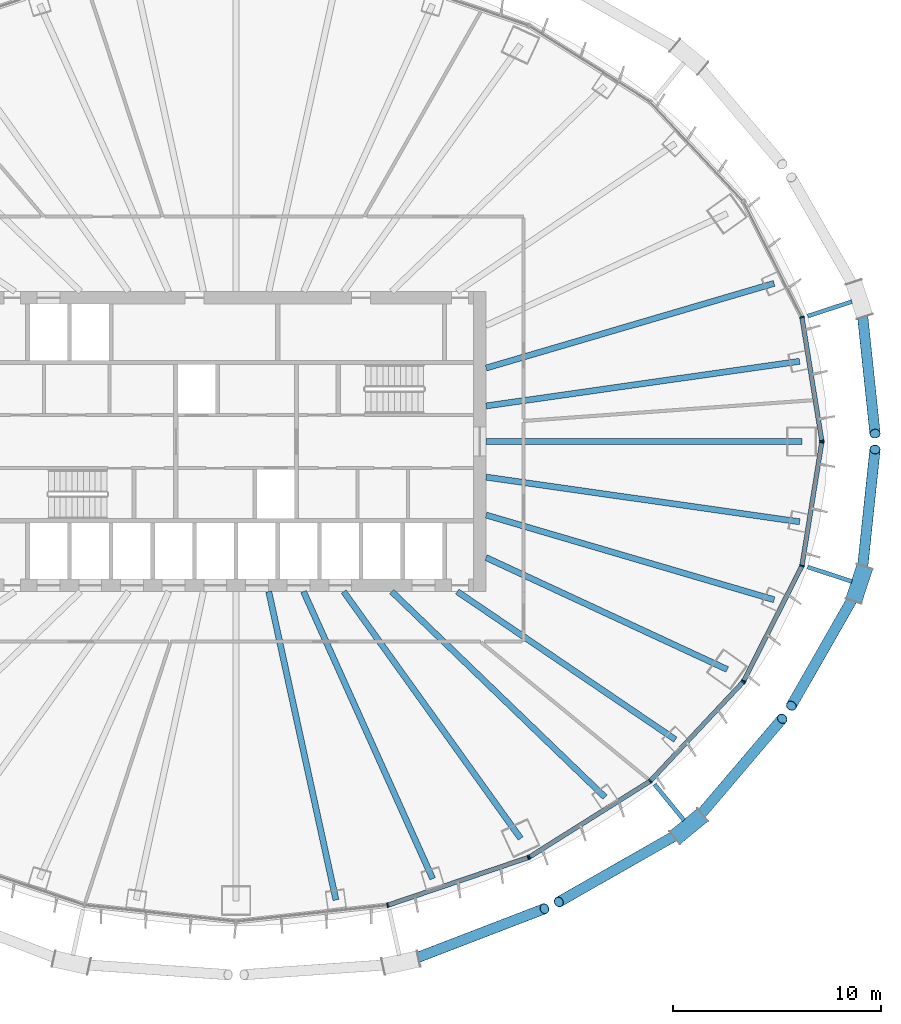
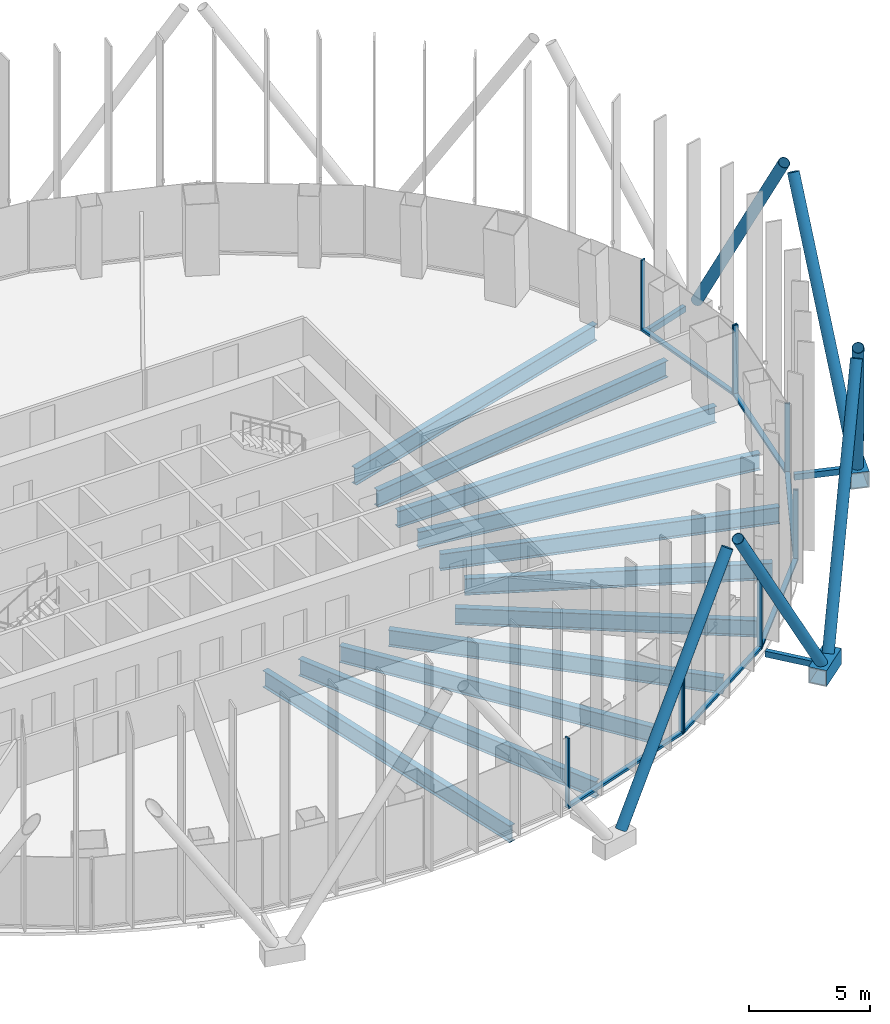
# One storey, part 4 of 22: 27 members, 11 beams, 4 elements without a shape of their own.
"""IFC4 building model written with IfcOpenShell, lengths in metres."""

from ifc_helpers import new_model, si_unit, direction, frame, origin, origin_2d, place, context, subcontext, project, spatial, rectangle, hollow_rectangle, hollow_circle, i_section, extrude, material, layer, layer_set, material_profile, profile_set, type_object, element, aggregate, save


model = new_model("IFC4")

# Units and contexts
model_context = context("Model", 3, precision=1e-05, world=origin(), true_north=direction((0.0, 1.0)))
body_context = subcontext(model_context, "Body", "Model", "MODEL_VIEW")
ifc_project = project(units=[si_unit("LENGTHUNIT", "METRE"), si_unit("AREAUNIT", "SQUARE_METRE"), si_unit("VOLUMEUNIT", "CUBIC_METRE"), si_unit("PLANEANGLEUNIT", "RADIAN"), si_unit("MASSUNIT", "GRAM", prefix="KILO")], contexts=[model_context])

# Site, building, storey
site_placement = place(None, origin())
site = spatial("IfcSite", under=ifc_project, at=site_placement, CompositionType="ELEMENT")
building_placement = place(site_placement, origin())
building = spatial("IfcBuilding", under=site, at=building_placement, Name="Siaravel Broadcast Tower", CompositionType="ELEMENT")
storey_placement = place(building_placement, frame((0.0, 0.0, 37.10009765625)))
storey = spatial("IfcBuildingStorey", under=building, at=storey_placement, Name="L07", CompositionType="ELEMENT", Elevation=37.10009765625)

# Beams
ifc_material_1 = material(Name="Steel S355", Category="steel")
ifc_material_profile_1 = material_profile(ifc_material_1, i_section(OverallWidth=0.291748046875, OverallDepth=0.8349609375, WebThickness=0.013916015625, FlangeThickness=0.018798828125, FilletRadius=0.017822265625, at=origin_2d()))
ifc_profile_set_1 = profile_set([ifc_material_profile_1], Name="Steel S355")
beam_type = type_object("IfcBeamType", Name="BM-UB 838x292x176", PredefinedType="BEAM", material=ifc_profile_set_1)
beam_1_placement = place(storey_placement, frame((27.158203125, 0.0, -0.5673828125), z_axis=(-1.0, 0.0, 0.0), x_axis=(0.0, -1.0, 0.0)))
element("IfcBeam", 1, at=beam_1_placement, inside=storey, type_object=beam_type, Name="Radial beam RB01", PredefinedType="BEAM", context=body_context, shape_type="SweptSolid", body=[
    extrude(i_section(OverallWidth=0.291748046875, OverallDepth=0.8349609375, WebThickness=0.013916015625, FlangeThickness=0.018798828125, FilletRadius=0.017822265625, at=origin_2d()), origin(), (0.0, 0.0, 1.0), 15.158203125),
])
beam_2_placement = place(storey_placement, frame((27.046875, 3.85107421875, -0.5673828125), z_axis=(-0.990013645, -0.140971569, 0.0), x_axis=(0.140971569, -0.990013645, 0.0)))
element("IfcBeam", 2, at=beam_2_placement, inside=storey, type_object=beam_type, Name="Radial beam RB02", PredefinedType="BEAM", context=body_context, shape_type="SweptSolid", body=[
    extrude(i_section(OverallWidth=0.291748046875, OverallDepth=0.8349609375, WebThickness=0.013916015625, FlangeThickness=0.018798828125, FilletRadius=0.017822265625, at=origin_2d()), origin(), (0.0, 0.0, 1.0), 15.19873046875),
])
beam_3_placement = place(storey_placement, frame((25.822998046875, 7.591796875, -0.5673828125), z_axis=(-0.959395986, -0.282062657, 0.0), x_axis=(0.282062657, -0.959395986, 0.0)))
element("IfcBeam", 3, at=beam_3_placement, inside=storey, type_object=beam_type, Name="Radial beam RB03", PredefinedType="BEAM", context=body_context, shape_type="SweptSolid", body=[
    extrude(i_section(OverallWidth=0.291748046875, OverallDepth=0.8349609375, WebThickness=0.013916015625, FlangeThickness=0.018798828125, FilletRadius=0.017822265625, at=origin_2d()), origin(), (0.0, 0.0, 1.0), 14.407958984375),
])
beam_4_placement = place(storey_placement, frame((4.79248046875, -22.003173828125, -0.5673828125), z_axis=(-0.212809631, 0.977093681, 0.0), x_axis=(-0.977093681, -0.212809631, 0.0)))
element("IfcBeam", 4, at=beam_4_placement, inside=storey, type_object=beam_type, Name="Radial beam RB29", PredefinedType="BEAM", context=body_context, shape_type="SweptSolid", body=[
    extrude(i_section(OverallWidth=0.291748046875, OverallDepth=0.8349609375, WebThickness=0.013916015625, FlangeThickness=0.018798828125, FilletRadius=0.017822265625, at=origin_2d()), origin(), (0.0, 0.0, 1.0), 15.150146484375),
])
beam_5_placement = place(storey_placement, frame((9.436279296875, -20.984130859375, -0.5673828125), z_axis=(-0.410122863, 0.912030283, 0.0), x_axis=(-0.912030283, -0.410122863, 0.0)))
element("IfcBeam", 5, at=beam_5_placement, inside=storey, type_object=beam_type, Name="Radial beam RB30", PredefinedType="BEAM", context=body_context, shape_type="SweptSolid", body=[
    extrude(i_section(OverallWidth=0.291748046875, OverallDepth=0.8349609375, WebThickness=0.013916015625, FlangeThickness=0.018798828125, FilletRadius=0.017822265625, at=origin_2d()), origin(), (0.0, 0.0, 1.0), 15.11376953125),
])
beam_6_placement = place(storey_placement, frame((13.65869140625, -19.05126953125, -0.5673828125), z_axis=(-0.582661067, 0.812715252, 0.0), x_axis=(-0.812715252, -0.582661067, 0.0)))
element("IfcBeam", 6, at=beam_6_placement, inside=storey, type_object=beam_type, Name="Radial beam RB31", PredefinedType="BEAM", context=body_context, shape_type="SweptSolid", body=[
    extrude(i_section(OverallWidth=0.291748046875, OverallDepth=0.8349609375, WebThickness=0.013916015625, FlangeThickness=0.018798828125, FilletRadius=0.017822265625, at=origin_2d()), origin(), (0.0, 0.0, 1.0), 14.582275390625),
])
beam_7_placement = place(storey_placement, frame((17.7109375, -17.072021484375, -0.5673828125), z_axis=(-0.71997139, 0.694003745, 0.0), x_axis=(-0.694003745, -0.71997139, 0.0)))
element("IfcBeam", 7, at=beam_7_placement, inside=storey, type_object=beam_type, Name="Radial beam RB32", PredefinedType="BEAM", context=body_context, shape_type="SweptSolid", body=[
    extrude(i_section(OverallWidth=0.291748046875, OverallDepth=0.8349609375, WebThickness=0.013916015625, FlangeThickness=0.018798828125, FilletRadius=0.017822265625, at=origin_2d()), origin(), (0.0, 0.0, 1.0), 14.224853515625),
])
beam_8_placement = place(storey_placement, frame((21.088134765625, -14.305908203125, -0.5673828125), z_axis=(-0.827542342, 0.561403306, 0.0), x_axis=(-0.561403306, -0.827542342, 0.0)))
element("IfcBeam", 8, at=beam_8_placement, inside=storey, type_object=beam_type, Name="Radial beam RB33", PredefinedType="BEAM", context=body_context, shape_type="SweptSolid", body=[
    extrude(i_section(OverallWidth=0.291748046875, OverallDepth=0.8349609375, WebThickness=0.013916015625, FlangeThickness=0.018798828125, FilletRadius=0.017822265625, at=origin_2d()), origin(), (0.0, 0.0, 1.0), 12.657470703125),
])
beam_9_placement = place(storey_placement, frame((23.5732421875, -10.939697265625, -0.5673828125), z_axis=(-0.907082041, 0.420953882, 0.0), x_axis=(-0.420953882, -0.907082041, 0.0)))
element("IfcBeam", 9, at=beam_9_placement, inside=storey, type_object=beam_type, Name="Radial beam RB34", PredefinedType="BEAM", context=body_context, shape_type="SweptSolid", body=[
    extrude(i_section(OverallWidth=0.291748046875, OverallDepth=0.8349609375, WebThickness=0.013916015625, FlangeThickness=0.018798828125, FilletRadius=0.017822265625, at=origin_2d()), origin(), (0.0, 0.0, 1.0), 12.7587890625),
])
beam_10_placement = place(storey_placement, frame((25.822998046875, -7.591796875, -0.5673828125), z_axis=(-0.959395986, 0.282062657, 0.0), x_axis=(-0.282062657, -0.959395986, 0.0)))
element("IfcBeam", 10, at=beam_10_placement, inside=storey, type_object=beam_type, Name="Radial beam RB35", PredefinedType="BEAM", context=body_context, shape_type="SweptSolid", body=[
    extrude(i_section(OverallWidth=0.291748046875, OverallDepth=0.8349609375, WebThickness=0.013916015625, FlangeThickness=0.018798828125, FilletRadius=0.017822265625, at=origin_2d()), origin(), (0.0, 0.0, 1.0), 14.407958984375),
])
beam_11_placement = place(storey_placement, frame((27.046875, -3.85107421875, -0.5673828125), z_axis=(-0.990013645, 0.140971569, 0.0), x_axis=(-0.140971569, -0.990013645, 0.0)))
element("IfcBeam", 11, at=beam_11_placement, inside=storey, type_object=beam_type, Name="Radial beam RB36", PredefinedType="BEAM", context=body_context, shape_type="SweptSolid", body=[
    extrude(i_section(OverallWidth=0.291748046875, OverallDepth=0.8349609375, WebThickness=0.013916015625, FlangeThickness=0.018798828125, FilletRadius=0.017822265625, at=origin_2d()), origin(), (0.0, 0.0, 1.0), 15.19873046875),
])

# Curtain wall, members
ifc_material_2 = material(Name="Aluminium 6063-T6", Category="aluminium")
ifc_layer = layer(ifc_material_2, 0.219970703125)
ifc_layer_set = layer_set([ifc_layer], Name="Aluminium 6063-T6")
curtain_wall_type = type_object("IfcCurtainWallType", Name="Unitised curtain wall, zone 1", PredefinedType="NOTDEFINED", material=ifc_layer_set)
curtain_wall_1_placement = place(storey_placement, origin())
curtain_wall_1 = element("IfcCurtainWall", 12, at=curtain_wall_1_placement, inside=storey, type_object=curtain_wall_type, Name="L07 Unitised curtain wall, zone 1 01", PredefinedType="NOTDEFINED")
ifc_material_profile_2 = material_profile(ifc_material_2, rectangle(XDim=0.219970703125, YDim=0.070068359375, at=origin_2d()))
ifc_profile_set_2 = profile_set([ifc_material_profile_2], Name="Aluminium 6063-T6")
member_type_1 = type_object("IfcMemberType", Name="CW-Z1 mullion", PredefinedType="MULLION", material=ifc_profile_set_2)
member_1_placement = place(storey_placement, frame((28.110595703125, 0.03466796875, 0.0), z_axis=(0.0, 0.0, 1.0), x_axis=(-0.987329133, -0.158685802, 0.0)))
member_1 = element("IfcMember", 13, at=member_1_placement, type_object=member_type_1, Name="CW-Z1 mullion 1", PredefinedType="MULLION", context=body_context, shape_type="SweptSolid", body=[
    extrude(rectangle(XDim=0.219970703125, YDim=0.070068359375, at=origin_2d()), origin(), (0.0, 0.0, 1.0), 3.5498046875),
])
member_2_placement = place(storey_placement, frame((27.1572265625, 5.965576171875, 0.0), z_axis=(0.0, 0.0, 1.0), x_axis=(-0.951177076, -0.308645704, 0.0)))
member_2 = element("IfcMember", 14, at=member_2_placement, type_object=member_type_1, Name="CW-Z1 mullion 2", PredefinedType="MULLION", context=body_context, shape_type="SweptSolid", body=[
    extrude(rectangle(XDim=0.219970703125, YDim=0.070068359375, at=origin_2d()), origin(), (0.0, 0.0, 1.0), 3.5498046875),
])

curtain_wall_2_placement = place(storey_placement, origin())
curtain_wall_2 = element("IfcCurtainWall", 15, at=curtain_wall_2_placement, inside=storey, type_object=curtain_wall_type, Name="L07 Unitised curtain wall, zone 1 10", PredefinedType="NOTDEFINED")
member_3_placement = place(storey_placement, frame((7.27490234375, -22.2548828125, 0.0), z_axis=(0.0, 0.0, 1.0), x_axis=(-0.215558083, 0.97649102, 0.0)))
member_3 = element("IfcMember", 16, at=member_3_placement, type_object=member_type_1, Name="CW-Z1 mullion 2", PredefinedType="MULLION", context=body_context, shape_type="SweptSolid", body=[
    extrude(rectangle(XDim=0.219970703125, YDim=0.070068359375, at=origin_2d()), origin(), (0.0, 0.0, 1.0), 3.5498046875),
])
member_4_placement = place(storey_placement, frame((14.021240234375, -19.9658203125, 0.0), z_axis=(0.0, 0.0, 1.0), x_axis=(-0.321300632, 0.946977246, 0.0)))
member_4 = element("IfcMember", 17, at=member_4_placement, type_object=member_type_1, Name="CW-Z1 mullion 3", PredefinedType="MULLION", context=body_context, shape_type="SweptSolid", body=[
    extrude(rectangle(XDim=0.219970703125, YDim=0.070068359375, at=origin_2d()), origin(), (0.0, 0.0, 1.0), 3.5498046875),
])

curtain_wall_3_placement = place(storey_placement, origin())
curtain_wall_3 = element("IfcCurtainWall", 18, at=curtain_wall_3_placement, inside=storey, type_object=curtain_wall_type, Name="L07 Unitised curtain wall, zone 1 11", PredefinedType="NOTDEFINED")
member_5_placement = place(storey_placement, frame((14.083984375, -19.935791015625, 0.0), z_axis=(0.0, 0.0, 1.0), x_axis=(-0.532149101, 0.846650657, 0.0)))
member_5 = element("IfcMember", 19, at=member_5_placement, type_object=member_type_1, Name="CW-Z1 mullion 1", PredefinedType="MULLION", context=body_context, shape_type="SweptSolid", body=[
    extrude(rectangle(XDim=0.219970703125, YDim=0.070068359375, at=origin_2d()), origin(), (0.0, 0.0, 1.0), 3.5498046875),
])
member_6_placement = place(storey_placement, frame((19.87744140625, -16.294677734375, 0.0), z_axis=(0.0, 0.0, 1.0), x_axis=(-0.63621841, 0.771508998, 0.0)))
member_6 = element("IfcMember", 20, at=member_6_placement, type_object=member_type_1, Name="CW-Z1 mullion 2", PredefinedType="MULLION", context=body_context, shape_type="SweptSolid", body=[
    extrude(rectangle(XDim=0.219970703125, YDim=0.070068359375, at=origin_2d()), origin(), (0.0, 0.0, 1.0), 3.5498046875),
])
member_7_placement = place(storey_placement, frame((24.322998046875, -11.549072265625, 0.0), z_axis=(0.0, 0.0, 1.0), x_axis=(-0.729804946, 0.683655426, 0.0)))
member_7 = element("IfcMember", 21, at=member_7_placement, type_object=member_type_1, Name="CW-Z1 mullion 3", PredefinedType="MULLION", context=body_context, shape_type="SweptSolid", body=[
    extrude(rectangle(XDim=0.219970703125, YDim=0.070068359375, at=origin_2d()), origin(), (0.0, 0.0, 1.0), 3.5498046875),
])

curtain_wall_4_placement = place(storey_placement, origin())
curtain_wall_4 = element("IfcCurtainWall", 22, at=curtain_wall_4_placement, inside=storey, type_object=curtain_wall_type, Name="L07 Unitised curtain wall, zone 1 12", PredefinedType="NOTDEFINED")
member_8_placement = place(storey_placement, frame((24.362548828125, -11.4921875, 0.0), z_axis=(0.0, 0.0, 1.0), x_axis=(-0.892391814, 0.451261399, 0.0)))
member_8 = element("IfcMember", 23, at=member_8_placement, type_object=member_type_1, Name="CW-Z1 mullion 1", PredefinedType="MULLION", context=body_context, shape_type="SweptSolid", body=[
    extrude(rectangle(XDim=0.219970703125, YDim=0.070068359375, at=origin_2d()), origin(), (0.0, 0.0, 1.0), 3.5498046875),
])
member_9_placement = place(storey_placement, frame((27.1572265625, -5.965576171875, 0.0), z_axis=(0.0, 0.0, 1.0), x_axis=(-0.951177076, 0.308645704, 0.0)))
member_9 = element("IfcMember", 24, at=member_9_placement, type_object=member_type_1, Name="CW-Z1 mullion 2", PredefinedType="MULLION", context=body_context, shape_type="SweptSolid", body=[
    extrude(rectangle(XDim=0.219970703125, YDim=0.070068359375, at=origin_2d()), origin(), (0.0, 0.0, 1.0), 3.5498046875),
])
member_10_placement = place(storey_placement, frame((28.110595703125, -0.03466796875, 0.0), z_axis=(0.0, 0.0, 1.0), x_axis=(-0.987329133, 0.158685802, 0.0)))
member_10 = element("IfcMember", 25, at=member_10_placement, type_object=member_type_1, Name="CW-Z1 mullion 3", PredefinedType="MULLION", context=body_context, shape_type="SweptSolid", body=[
    extrude(rectangle(XDim=0.219970703125, YDim=0.070068359375, at=origin_2d()), origin(), (0.0, 0.0, 1.0), 3.5498046875),
])

# Member
ifc_material_profile_3 = material_profile(ifc_material_2, rectangle(XDim=0.219970703125, YDim=0.1201171875, at=origin_2d()))
ifc_profile_set_3 = profile_set([ifc_material_profile_3], Name="Aluminium 6063-T6")
member_type_2 = type_object("IfcMemberType", Name="CW-Z1 transom", PredefinedType="USERDEFINED", material=ifc_profile_set_3)
member_11_placement = place(storey_placement, frame((28.10498046875, 0.069091796875, 0.059814453125), z_axis=(-0.158681674, 0.987329796, 0.0), x_axis=(-0.987329796, -0.158681674, 0.0)))
member_11 = element("IfcMember", 26, at=member_11_placement, type_object=member_type_2, Name="CW-Z1 transom 1", ObjectType="TRANSOM", PredefinedType="USERDEFINED", context=body_context, shape_type="SweptSolid", body=[
    extrude(rectangle(XDim=0.219970703125, YDim=0.1201171875, at=origin_2d()), origin(), (0.0, 0.0, 1.0), 5.937255859375),
])

aggregate(curtain_wall_1, [member_1, member_2, member_11])

member_12_placement = place(storey_placement, frame((7.307861328125, -22.24365234375, 0.059814453125), z_axis=(0.946973811, 0.321310754, 0.0), x_axis=(-0.321310754, 0.946973811, 0.0)))
member_12 = element("IfcMember", 27, at=member_12_placement, type_object=member_type_2, Name="CW-Z1 transom 2", ObjectType="TRANSOM", PredefinedType="USERDEFINED", context=body_context, shape_type="SweptSolid", body=[
    extrude(rectangle(XDim=0.219970703125, YDim=0.1201171875, at=origin_2d()), origin(), (0.0, 0.0, 1.0), 7.05419921875),
])

aggregate(curtain_wall_2, [member_3, member_4, member_12])

member_13_placement = place(storey_placement, frame((14.11376953125, -19.917236328125, 0.059814453125), z_axis=(0.846656967, 0.532139062, 0.0), x_axis=(-0.532139062, 0.846656967, 0.0)))
member_13 = element("IfcMember", 28, at=member_13_placement, type_object=member_type_2, Name="CW-Z1 transom 1", ObjectType="TRANSOM", PredefinedType="USERDEFINED", context=body_context, shape_type="SweptSolid", body=[
    extrude(rectangle(XDim=0.219970703125, YDim=0.1201171875, at=origin_2d()), origin(), (0.0, 0.0, 1.0), 6.772705078125),
])

member_14_placement = place(storey_placement, frame((19.9013671875, -16.26904296875, 0.059814453125), z_axis=(0.683654492, 0.72980582, 0.0), x_axis=(-0.72980582, 0.683654492, 0.0)))
member_14 = element("IfcMember", 29, at=member_14_placement, type_object=member_type_2, Name="CW-Z1 transom 2", ObjectType="TRANSOM", PredefinedType="USERDEFINED", context=body_context, shape_type="SweptSolid", body=[
    extrude(rectangle(XDim=0.219970703125, YDim=0.1201171875, at=origin_2d()), origin(), (0.0, 0.0, 1.0), 6.4326171875),
])

aggregate(curtain_wall_3, [member_5, member_6, member_7, member_13, member_14])

member_15_placement = place(storey_placement, frame((24.37841796875, -11.4609375, 0.059814453125), z_axis=(0.451275958, 0.892384452, 0.0), x_axis=(-0.892384452, 0.451275958, 0.0)))
member_15 = element("IfcMember", 30, at=member_15_placement, type_object=member_type_2, Name="CW-Z1 transom 1", ObjectType="TRANSOM", PredefinedType="USERDEFINED", context=body_context, shape_type="SweptSolid", body=[
    extrude(rectangle(XDim=0.219970703125, YDim=0.1201171875, at=origin_2d()), origin(), (0.0, 0.0, 1.0), 6.123046875),
])

member_16_placement = place(storey_placement, frame((27.162841796875, -5.93115234375, 0.059814453125), z_axis=(0.158681674, 0.987329796, 0.0), x_axis=(-0.987329796, 0.158681674, 0.0)))
member_16 = element("IfcMember", 31, at=member_16_placement, type_object=member_type_2, Name="CW-Z1 transom 2", ObjectType="TRANSOM", PredefinedType="USERDEFINED", context=body_context, shape_type="SweptSolid", body=[
    extrude(rectangle(XDim=0.219970703125, YDim=0.1201171875, at=origin_2d()), origin(), (0.0, 0.0, 1.0), 5.937255859375),
])

aggregate(curtain_wall_4, [member_8, member_9, member_10, member_15, member_16])

# Members
ifc_material_3 = material(Name="Steel S460", Category="steel")
ifc_material_profile_4 = material_profile(ifc_material_3, hollow_circle(Radius=0.25390625, WallThickness=0.02001953125, at=origin_2d()))
ifc_profile_set_4 = profile_set([ifc_material_profile_4], Name="Steel S460")
member_type_3 = type_object("IfcMemberType", Name="Diagrid diagonal CHS 508x20", PredefinedType="BRACE", material=ifc_profile_set_4)
member_17_placement = place(storey_placement, frame((30.02490234375, 6.469482421875, 0.169921875), z_axis=(0.053083193, -0.504249909, 0.861924709), x_axis=(0.994504579, 0.104693086, 0.0)))
element("IfcMember", 32, at=member_17_placement, inside=storey, type_object=member_type_3, Name="Diagrid diagonal R04 station 03C", PredefinedType="BRACE", context=body_context, shape_type="SweptSolid", body=[
    extrude(hollow_circle(Radius=0.25390625, WallThickness=0.02001953125, at=origin_2d()), origin(), (0.0, 0.0, 1.0), 12.07763671875),
])
member_18_placement = place(storey_placement, frame((8.279296875, -24.93115234375, 0.169921875), z_axis=(0.520194937, 0.200133392, 0.830267338), x_axis=(-0.359070379, 0.933310486, 0.0)))
element("IfcMember", 33, at=member_18_placement, inside=storey, type_object=member_type_3, Name="Diagrid diagonal R04 station 57A", PredefinedType="BRACE", context=body_context, shape_type="SweptSolid", body=[
    extrude(hollow_circle(Radius=0.25390625, WallThickness=0.02001953125, at=origin_2d()), origin(), (0.0, 0.0, 1.0), 12.5380859375),
])
member_19_placement = place(storey_placement, frame((21.4384765625, -18.703125, 0.169921875), z_axis=(-0.477526586, -0.272371369, 0.835333584), x_axis=(0.495451824, -0.868635418, 0.0)))
element("IfcMember", 34, at=member_19_placement, inside=storey, type_object=member_type_3, Name="Diagrid diagonal R04 station 63C", PredefinedType="BRACE", context=body_context, shape_type="SweptSolid", body=[
    extrude(hollow_circle(Radius=0.25390625, WallThickness=0.02001953125, at=origin_2d()), origin(), (0.0, 0.0, 1.0), 12.4619140625),
])
member_20_placement = place(storey_placement, frame((22.025390625, -18.222412109375, 0.169921875), z_axis=(0.341753532, 0.401555418, 0.849680981), x_axis=(-0.761535421, 0.648123293, 0.0)))
element("IfcMember", 35, at=member_20_placement, inside=storey, type_object=member_type_3, Name="Diagrid diagonal R04 station 63A", PredefinedType="BRACE", context=body_context, shape_type="SweptSolid", body=[
    extrude(hollow_circle(Radius=0.25390625, WallThickness=0.02001953125, at=origin_2d()), origin(), (0.0, 0.0, 1.0), 12.25146484375),
])
member_21_placement = place(storey_placement, frame((29.788818359375, -7.190673828125, 0.169921875), z_axis=(-0.257704977, -0.450853435, 0.854587225), x_axis=(0.868181384, -0.496246999, 0.0)))
element("IfcMember", 36, at=member_21_placement, inside=storey, type_object=member_type_3, Name="Diagrid diagonal R04 station 69C", PredefinedType="BRACE", context=body_context, shape_type="SweptSolid", body=[
    extrude(hollow_circle(Radius=0.25390625, WallThickness=0.02001953125, at=origin_2d()), origin(), (0.0, 0.0, 1.0), 12.18115234375),
])
member_22_placement = place(storey_placement, frame((30.02490234375, -6.469482421875, 0.169921875), z_axis=(0.053083193, 0.504249909, 0.861924709), x_axis=(-0.994504579, 0.104693086, 0.0)))
element("IfcMember", 37, at=member_22_placement, inside=storey, type_object=member_type_3, Name="Diagrid diagonal R04 station 69A", PredefinedType="BRACE", context=body_context, shape_type="SweptSolid", body=[
    extrude(hollow_circle(Radius=0.25390625, WallThickness=0.02001953125, at=origin_2d()), origin(), (0.0, 0.0, 1.0), 12.07763671875),
])
ifc_material_profile_5 = material_profile(ifc_material_3, hollow_rectangle(XDim=0.800048828125, YDim=0.800048828125, WallThickness=0.050048828125, at=origin_2d()))
ifc_profile_set_5 = profile_set([ifc_material_profile_5], Name="Steel S460")
member_type_4 = type_object("IfcMemberType", Name="Diagrid node BOX 800x800x50", PredefinedType="USERDEFINED", material=ifc_profile_set_5)
member_23_placement = place(storey_placement, frame((21.066162109375, -19.008056640625, -0.2001953125), z_axis=(0.773634883, 0.63363165, 0.0), x_axis=(-0.63363165, 0.773634883, 0.0)))
element("IfcMember", 38, at=member_23_placement, inside=storey, type_object=member_type_4, Name="Diagrid node R04 station 63", ObjectType="DIAGRID NODE", PredefinedType="USERDEFINED", context=body_context, shape_type="SweptSolid", body=[
    extrude(hollow_rectangle(XDim=0.800048828125, YDim=0.800048828125, WallThickness=0.050048828125, at=origin_2d()), origin(), (0.0, 0.0, 1.0), 1.72119140625),
])
member_24_placement = place(storey_placement, frame((29.639404296875, -7.64794921875, -0.2001953125), z_axis=(0.310817725, 0.950469538, 0.0), x_axis=(-0.950469538, 0.310817725, 0.0)))
element("IfcMember", 39, at=member_24_placement, inside=storey, type_object=member_type_4, Name="Diagrid node R04 station 69", ObjectType="DIAGRID NODE", PredefinedType="USERDEFINED", context=body_context, shape_type="SweptSolid", body=[
    extrude(hollow_rectangle(XDim=0.800048828125, YDim=0.800048828125, WallThickness=0.050048828125, at=origin_2d()), origin(), (0.0, 0.0, 1.0), 1.720947265625),
])
ifc_material_profile_6 = material_profile(ifc_material_3, hollow_rectangle(XDim=0.199951171875, YDim=0.300048828125, WallThickness=0.012451171875, at=origin_2d()))
ifc_profile_set_6 = profile_set([ifc_material_profile_6], Name="Steel S460")
member_type_5 = type_object("IfcMemberType", Name="Diagrid node arm RHS 300x200x12.5", PredefinedType="STRUT", material=ifc_profile_set_6)
member_25_placement = place(storey_placement, frame((27.435791015625, 6.021484375, -0.2001953125), z_axis=(0.950398894, 0.311033666, 0.0), x_axis=(-0.311033666, 0.950398894, 0.0)))
element("IfcMember", 40, at=member_25_placement, inside=storey, type_object=member_type_5, Name="Node arm R04 station 03", PredefinedType="STRUT", context=body_context, shape_type="SweptSolid", body=[
    extrude(hollow_rectangle(XDim=0.199951171875, YDim=0.300048828125, WallThickness=0.012451171875, at=origin_2d()), origin(), (0.0, 0.0, 1.0), 2.22998046875),
])
member_26_placement = place(storey_placement, frame((20.08447265625, -16.451416015625, -0.2001953125), z_axis=(0.633613339, -0.77364988, 0.0), x_axis=(0.77364988, 0.633613339, 0.0)))
element("IfcMember", 41, at=member_26_placement, inside=storey, type_object=member_type_5, Name="Node arm R04 station 63", PredefinedType="STRUT", context=body_context, shape_type="SweptSolid", body=[
    extrude(hollow_rectangle(XDim=0.199951171875, YDim=0.300048828125, WallThickness=0.012451171875, at=origin_2d()), origin(), (0.0, 0.0, 1.0), 2.229736328125),
])
member_27_placement = place(storey_placement, frame((27.435791015625, -6.021484375, -0.2001953125), z_axis=(0.950398894, -0.311033666, 0.0), x_axis=(0.311033666, 0.950398894, 0.0)))
element("IfcMember", 42, at=member_27_placement, inside=storey, type_object=member_type_5, Name="Node arm R04 station 69", PredefinedType="STRUT", context=body_context, shape_type="SweptSolid", body=[
    extrude(hollow_rectangle(XDim=0.199951171875, YDim=0.300048828125, WallThickness=0.012451171875, at=origin_2d()), origin(), (0.0, 0.0, 1.0), 2.22998046875),
])

save(model, "model.ifc")
